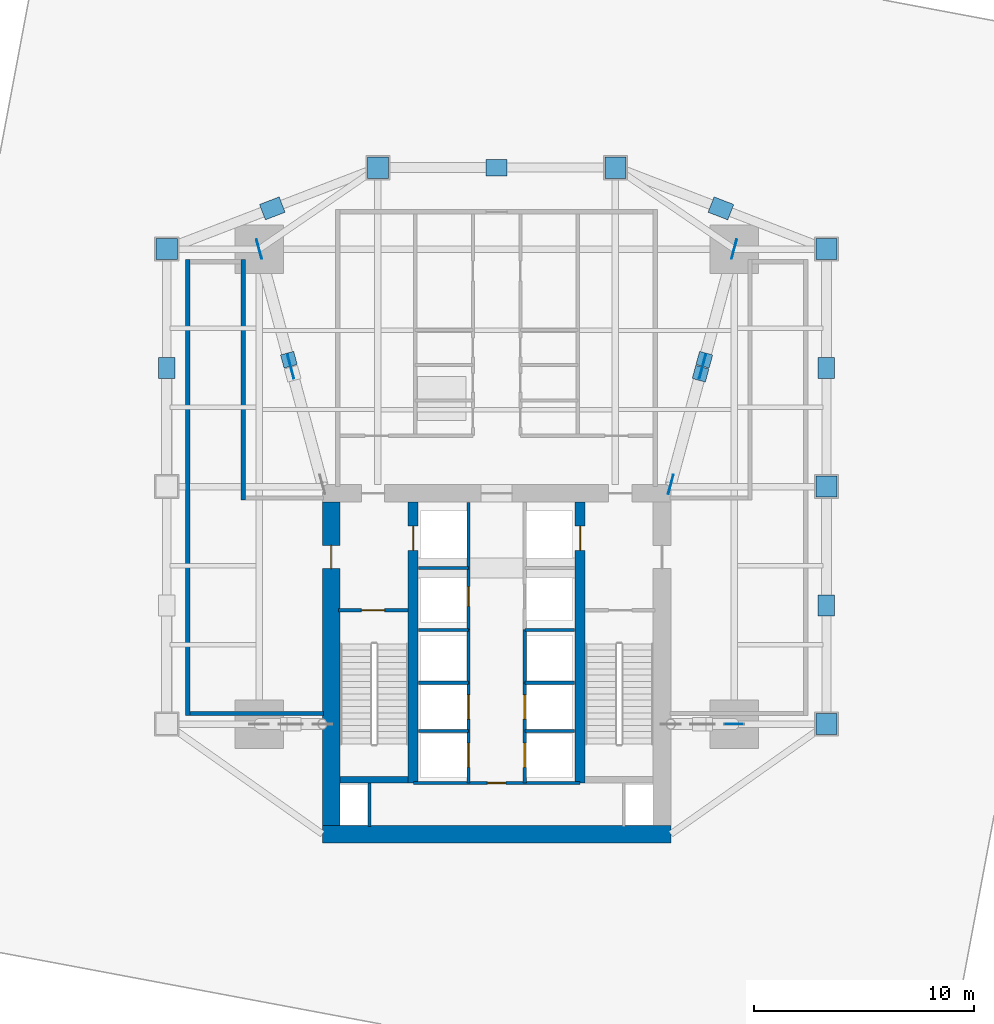
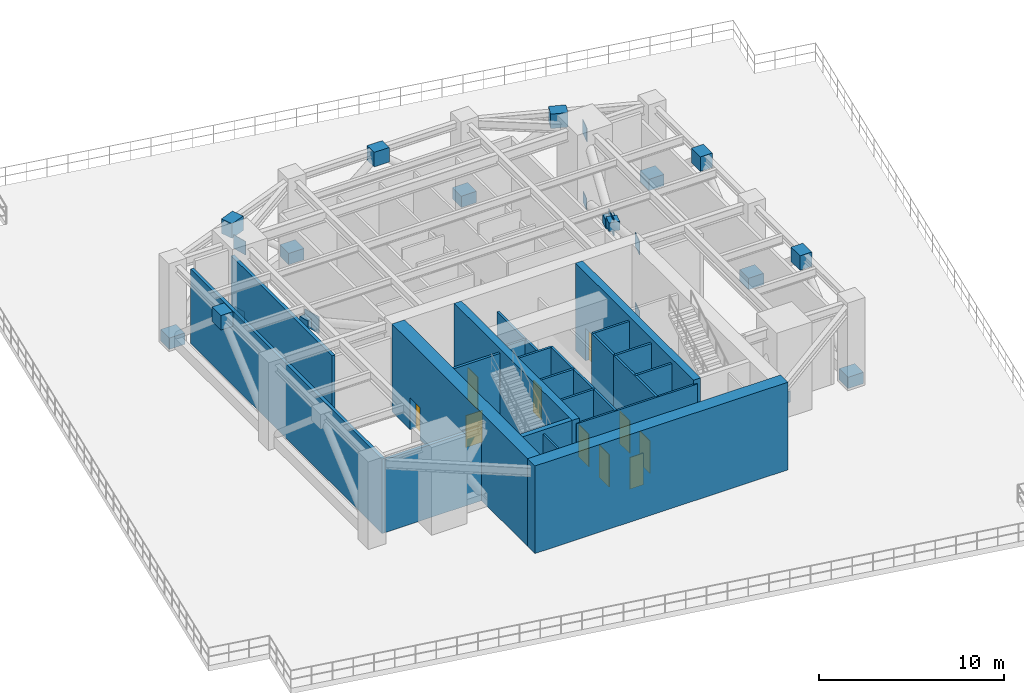
# One storey, part 4 of 10: 24 plates, 23 walls, 10 doors, 10 openings.
"""IFC4 building model written with IfcOpenShell, lengths in metres."""

from ifc_helpers import new_model, si_unit, direction, frame, frame_2d, origin, origin_2d, place, context, subcontext, project, spatial, rectangle, extrude, source, transform, mapped, material, layer, layer_set, type_object, type_shapes, element, fill, save


model = new_model("IFC4")

# Units and contexts
model_context = context("Model", 3, precision=1e-05, world=origin(), true_north=direction((0.0, 1.0)))
body_context = subcontext(model_context, "Body", "Model", "MODEL_VIEW")
ifc_project = project(units=[si_unit("LENGTHUNIT", "METRE"), si_unit("AREAUNIT", "SQUARE_METRE"), si_unit("VOLUMEUNIT", "CUBIC_METRE"), si_unit("PLANEANGLEUNIT", "RADIAN"), si_unit("MASSUNIT", "GRAM", prefix="KILO")], contexts=[model_context])

# Site, building, storey
site_placement = place(None, origin())
site = spatial("IfcSite", under=ifc_project, at=site_placement, CompositionType="ELEMENT")
building_placement = place(site_placement, origin())
building = spatial("IfcBuilding", under=site, at=building_placement, Name="Krantzveldt Concourse Tower", CompositionType="ELEMENT")
storey_placement = place(building_placement, frame((0.0, 0.0, 80.300048828125)))
storey = spatial("IfcBuildingStorey", under=building, at=storey_placement, Name="L19", CompositionType="ELEMENT", Elevation=80.300048828125)

# Plates
ifc_material_1 = material(Name="Steel S355J2", Category="steel")
ifc_layer_1 = layer(ifc_material_1, 0.0400390625, Name="Steel S355J2", Category="steel")
ifc_layer_set_1 = layer_set([ifc_layer_1], Name="Steel S355J2 (PL-GUSSET-40)")
plate_type_1 = type_object("IfcPlateType", Name="PL-GUSSET-40", PredefinedType="USERDEFINED", material=ifc_layer_set_1)
shared_shape_1 = source(origin(), body_context, "Body", "SweptSolid", [
    extrude(rectangle(XDim=0.89990234375, YDim=0.0400390625, at=origin_2d()), origin(), (0.0, 0.0, 1.0), 0.89990234375),
])
type_shapes(plate_type_1, [shared_shape_1])
for number, where, z_axis, x_axis, name in (
    (1, (25.199951171875, 37.5, 4.6201171875), (0.0, 0.0, 1.0), (-0.259914686406, 0.965631583882, 0.0), "OT-NW-L19-GP3"),
    (2, (43.919921875, 26.800048828125, 0.0), (0.0, 0.0, 1.0), (0.259914686406, 0.965631583882, 0.0), "OT-NE-L19-GP1"),
    (3, (43.919921875, 26.800048828125, 4.6201171875), (0.0, 0.0, 1.0), (0.259914686406, 0.965631583882, 0.0), "OT-NE-L19-GP2"),
    (4, (46.800048828125, 37.5, 4.6201171875), (0.0, 0.0, 1.0), (0.259914686406, 0.965631583882, 0.0), "OT-NE-L19-GP3"),
):
    element("IfcPlate", number, at=place(storey_placement, frame(where, z_axis=z_axis, x_axis=x_axis)), inside=storey, type_object=plate_type_1, Name=name, ObjectType="GUSSET PLATE", PredefinedType="USERDEFINED", context=body_context, shape_type="MappedRepresentation", body=[
        mapped(shared_shape_1, transform((0.0, 0.0, 0.0), x_axis=(1.0, 0.0, 0.0), y_axis=(0.0, 1.0, 0.0), z_axis=(0.0, 0.0, 1.0), scale=1.0)),
    ])
ifc_layer_2 = layer(ifc_material_1, 0.0400390625, Name="Steel S355J2", Category="steel")
ifc_layer_set_2 = layer_set([ifc_layer_2], Name="Steel S355J2 (PL-GUSSET-X40)")
plate_type_2 = type_object("IfcPlateType", Name="PL-GUSSET-X40", PredefinedType="USERDEFINED", material=ifc_layer_set_2)
shared_shape_2 = source(origin(), body_context, "Body", "SweptSolid", [
    extrude(rectangle(XDim=1.10009765625, YDim=0.0400390625, at=origin_2d()), origin(), (0.0, 0.0, 1.0), 1.10009765625),
])
type_shapes(plate_type_2, [shared_shape_2])
for number, where, z_axis, x_axis, name in (
    (5, (26.639892578125, 32.14990234375, 2.2099609375), (0.0, 0.0, 1.0), (-0.259914686406, 0.965631583882, 0.0), "L19 Outrigger X-Brace Crossing Node Plate OT-NW"),
    (6, (45.360107421875, 32.14990234375, 2.2099609375), (0.0, 0.0, 1.0), (0.259914686406, 0.965631583882, 0.0), "L19 Outrigger X-Brace Crossing Node Plate OT-NE"),
):
    element("IfcPlate", number, at=place(storey_placement, frame(where, z_axis=z_axis, x_axis=x_axis)), inside=storey, type_object=plate_type_2, Name=name, ObjectType="GUSSET PLATE", PredefinedType="USERDEFINED", context=body_context, shape_type="MappedRepresentation", body=[
        mapped(shared_shape_2, transform((0.0, 0.0, 0.0), x_axis=(1.0, 0.0, 0.0), y_axis=(0.0, 1.0, 0.0), z_axis=(0.0, 0.0, 1.0), scale=1.0)),
    ])
ifc_layer_3 = layer(ifc_material_1, 0.034912109375, Name="Steel S355J2", Category="steel")
ifc_layer_set_3 = layer_set([ifc_layer_3], Name="Steel S355J2 (PL-ENDCAP-35)")
plate_type_3 = type_object("IfcPlateType", Name="PL-ENDCAP-35", PredefinedType="SHEET", material=ifc_layer_set_3)
shared_shape_3 = source(origin(), body_context, "Body", "SweptSolid", [
    extrude(rectangle(XDim=0.6201171875, YDim=0.6201171875, at=origin_2d()), origin(), (0.0, 0.0, 1.0), 0.580078125),
])
for number, where, z_axis, x_axis, name in (
    (7, (26.55419921875, 32.46875, 2.332275390625), (0.0, 0.0, 1.0), (-0.259914686406, 0.965631583882, 0.0), "OT-NW-L19-ECB"),
    (8, (45.274169921875, 31.831298828125, 2.607421875), (0.0, 0.0, 1.0), (0.259914686406, 0.965631583882, 0.0), "OT-NE-L19-ECA"),
    (9, (45.44580078125, 32.46875, 2.332275390625), (0.0, 0.0, 1.0), (0.259914686406, 0.965631583882, 0.0), "OT-NE-L19-ECB"),
):
    element("IfcPlate", number, at=place(storey_placement, frame(where, z_axis=z_axis, x_axis=x_axis)), inside=storey, type_object=plate_type_3, Name=name, PredefinedType="SHEET", context=body_context, shape_type="MappedRepresentation", body=[
        mapped(shared_shape_3, transform((0.0, 0.0, 0.0), x_axis=(1.0, 0.0, 0.0), y_axis=(0.0, 1.0, 0.0), z_axis=(0.0, 0.0, 1.0), scale=1.0)),
    ])
shared_shape_4 = source(origin(), body_context, "Body", "SweptSolid", [
    extrude(rectangle(XDim=0.75, YDim=0.034912109375, at=origin_2d()), origin(), (0.0, 0.0, 1.0), 0.75),
])
type_shapes(plate_type_3, [shared_shape_3, shared_shape_4])
for number, where, z_axis, x_axis, name in (
    (10, (46.800048828125, 15.89990234375, 0.074951171875), (0.0, 0.0, 1.0), (1.0, 0.0, 0.0), "OT-SE-L19-EC"),
    (11, (25.199951171875, 37.5, 0.074951171875), (0.0, 0.0, 1.0), (-0.259914686406, 0.965631583882, 0.0), "OT-NW-L19-EC"),
    (12, (46.800048828125, 37.5, 0.074951171875), (0.0, 0.0, 1.0), (0.259914686406, 0.965631583882, 0.0), "OT-NE-L19-EC"),
):
    element("IfcPlate", number, at=place(storey_placement, frame(where, z_axis=z_axis, x_axis=x_axis)), inside=storey, type_object=plate_type_3, Name=name, PredefinedType="SHEET", context=body_context, shape_type="MappedRepresentation", body=[
        mapped(shared_shape_4, transform((0.0, 0.0, 0.0), x_axis=(1.0, 0.0, 0.0), y_axis=(0.0, 1.0, 0.0), z_axis=(0.0, 0.0, 1.0), scale=1.0)),
    ])
ifc_layer_4 = layer(ifc_material_1, 0.0419921875, Name="Steel S355J2", Category="steel")
ifc_layer_set_4 = layer_set([ifc_layer_4], Name="Steel S355J2 (PL-GUSSET-EXT40)")
plate_type_4 = type_object("IfcPlateType", Name="PL-GUSSET-EXT40", PredefinedType="USERDEFINED", material=ifc_layer_set_4)
shared_shape_5 = source(origin(), body_context, "Body", "SweptSolid", [
    extrude(rectangle(XDim=0.9599609375, YDim=0.9599609375, at=origin_2d()), origin(), (0.0, 0.0, 1.0), 0.75),
])
for number, where, z_axis, x_axis, name in (
    (13, (21.0, 37.5, 0.074951171875), (0.0, 0.0, 1.0), (1.0, 0.0, 0.0), "BT-L19-GPB-03"),
    (14, (30.60009765625, 41.199951171875, 0.074951171875), (0.0, 0.0, 1.0), (1.0, 0.0, 0.0), "BT-L19-GPB-04"),
    (15, (41.39990234375, 41.199951171875, 0.074951171875), (0.0, 0.0, 1.0), (1.0, 0.0, 0.0), "BT-L19-GPB-05"),
    (16, (51.0, 37.5, 0.074951171875), (0.0, 0.0, 1.0), (1.0, 0.0, 0.0), "BT-L19-GPB-06"),
    (17, (51.0, 26.699951171875, 0.074951171875), (0.0, 0.0, 1.0), (1.0, 0.0, 0.0), "BT-L19-GPB-07"),
    (18, (51.0, 15.89990234375, 0.074951171875), (0.0, 0.0, 1.0), (1.0, 0.0, 0.0), "BT-L19-GPB-08"),
):
    element("IfcPlate", number, at=place(storey_placement, frame(where, z_axis=z_axis, x_axis=x_axis)), inside=storey, type_object=plate_type_4, Name=name, ObjectType="GUSSET PLATE", PredefinedType="USERDEFINED", context=body_context, shape_type="MappedRepresentation", body=[
        mapped(shared_shape_5, transform((0.0, 0.0, 0.0), x_axis=(1.0, 0.0, 0.0), y_axis=(0.0, 1.0, 0.0), z_axis=(0.0, 0.0, 1.0), scale=1.0)),
    ])
shared_shape_6 = source(origin(), body_context, "Body", "SweptSolid", [
    extrude(rectangle(XDim=0.9599609375, YDim=0.75, at=origin_2d()), origin(), (0.0, 0.0, 1.0), 0.9599609375),
])
type_shapes(plate_type_4, [shared_shape_5, shared_shape_6])
for number, where, z_axis, x_axis, name in (
    (19, (21.0, 32.10009765625, 4.590087890625), (0.0, 0.0, 1.0), (0.0, 1.0, 0.0), "BT-L19-GP-02"),
    (20, (25.800048828125, 39.35009765625, 4.590087890625), (0.0, 0.0, 1.0), (0.933097971633, 0.359622267573, 0.0), "BT-L19-GP-03"),
    (21, (36.0, 41.199951171875, 4.590087890625), (0.0, 0.0, 1.0), (1.0, 0.0, 0.0), "BT-L19-GP-04"),
    (22, (46.199951171875, 39.35009765625, 4.590087890625), (0.0, 0.0, 1.0), (-0.933097971633, 0.359622267573, 0.0), "BT-L19-GP-05"),
    (23, (51.0, 32.10009765625, 4.590087890625), (0.0, 0.0, 1.0), (0.0, 1.0, 0.0), "BT-L19-GP-06"),
    (24, (51.0, 21.300048828125, 4.590087890625), (0.0, 0.0, 1.0), (0.0, 1.0, 0.0), "BT-L19-GP-07"),
):
    element("IfcPlate", number, at=place(storey_placement, frame(where, z_axis=z_axis, x_axis=x_axis)), inside=storey, type_object=plate_type_4, Name=name, ObjectType="GUSSET PLATE", PredefinedType="USERDEFINED", context=body_context, shape_type="MappedRepresentation", body=[
        mapped(shared_shape_6, transform((0.0, 0.0, 0.0), x_axis=(1.0, 0.0, 0.0), y_axis=(0.0, 1.0, 0.0), z_axis=(0.0, 0.0, 1.0), scale=1.0)),
    ])

# Walls
ifc_material_2 = material(Name="Concrete C40/50", Category="concrete")
ifc_layer_5 = layer(ifc_material_2, 0.199951171875, Name="Concrete C40/50", Category="concrete")
ifc_layer_set_5 = layer_set([ifc_layer_5], Name="Concrete C40/50 (WL-EXT-POD200)")
wall_type_1 = type_object("IfcWallType", Name="WL-EXT-POD200", PredefinedType="SOLIDWALL", material=ifc_layer_set_5)
wall_1_placement = place(storey_placement, frame((22.050048828125, 16.3798828125, 0.0), z_axis=(0.0, 0.0, 1.0), x_axis=(1.0, 0.0, 0.0)))
element("IfcWall", 25, at=wall_1_placement, inside=storey, type_object=wall_type_1, Name="WP-L19-RWS", PredefinedType="SOLIDWALL", context=body_context, shape_type="SweptSolid", body=[
    extrude(rectangle(XDim=6.070068359375, YDim=0.199951171875, at=frame_2d((3.03515625, 0.0))), origin(), (0.0, 0.0, 1.0), 4.820068359375),
])
wall_2_placement = place(storey_placement, frame((21.949951171875, 16.280029296875, 0.0), z_axis=(0.0, 0.0, 1.0), x_axis=(0.0, 1.0, 0.0)))
element("IfcWall", 26, at=wall_2_placement, inside=storey, type_object=wall_type_1, Name="WP-L19-RWW", PredefinedType="SOLIDWALL", context=body_context, shape_type="SweptSolid", body=[
    extrude(rectangle(XDim=20.739990234375, YDim=0.199951171875, at=frame_2d((10.3701171875, 0.0))), origin(), (0.0, 0.0, 1.0), 4.929931640625),
])
wall_3_placement = place(storey_placement, frame((24.47998046875, 26.080078125, 0.0), z_axis=(0.0, 0.0, 1.0), x_axis=(0.0, 1.0, 0.0)))
element("IfcWall", 27, at=wall_3_placement, inside=storey, type_object=wall_type_1, Name="WP-L19-RWNE", PredefinedType="SOLIDWALL", context=body_context, shape_type="SweptSolid", body=[
    extrude(rectangle(XDim=10.93994140625, YDim=0.199951171875, at=frame_2d((5.469970703125, 0.0))), origin(), (0.0, 0.0, 1.0), 4.929931640625),
])

# Wall, opening, door
ifc_material_3 = material(Name="Fire-rated gypsum plasterboard on steel stud", Category="steel")
ifc_layer_6 = layer(ifc_material_3, 0.1201171875, Name="Fire-rated gypsum plasterboard on steel stud", Category="steel")
ifc_layer_set_6 = layer_set([ifc_layer_6], Name="Fire-rated gypsum plasterboard on steel stud (WL-PART-120)")
wall_type_2 = type_object("IfcWallType", Name="WL-PART-120", PredefinedType="PARTITIONING", material=ifc_layer_set_6)
wall_4_placement = place(storey_placement, frame((32.2099609375, 13.219970703125, 0.0), z_axis=(0.0, 0.0, 1.0), x_axis=(1.0, 0.0, 0.0)))
wall_4 = element("IfcWall", 28, at=wall_4_placement, inside=storey, type_object=wall_type_2, Name="WP-L19-CS2H", PredefinedType="PARTITIONING", context=body_context, shape_type="SweptSolid", body=[
    extrude(rectangle(XDim=7.580078125, YDim=0.1201171875, at=frame_2d((3.7900390625, 0.0))), origin(), (0.0, 0.0, 1.0), 5.52001953125),
])
opening_1_placement = place(wall_4_placement, frame((3.364990234375, 0.0, 0.0)))
opening_1 = element("IfcOpeningElement", 29, at=opening_1_placement, cuts=wall_4, Name="Opening D-IN085", PredefinedType="OPENING", context=body_context, shape_type="SweptSolid", body=[
    extrude(rectangle(XDim=0.85009765625, YDim=2.10009765625, at=frame_2d((0.425048828125, 1.050048828125))), frame((0.0, 0.070068359375, 0.0), z_axis=(0.0, -1.0, 0.0), x_axis=(1.0, 0.0, 0.0)), (0.0, 0.0, 1.0), 0.14013671875),
])
ifc_material_4 = material(Name="Hardwood timber", Category="wood")
door_type_1 = type_object("IfcDoorType", Name="DR-INT-850", OperationType="SINGLE_SWING_LEFT", PredefinedType="DOOR", material=ifc_material_4)
door_1_placement = place(opening_1_placement, origin())
door_1 = element("IfcDoor", 30, at=door_1_placement, inside=storey, type_object=door_type_1, Name="DR-L19-CSC1", OperationType="SINGLE_SWING_RIGHT", OverallHeight=2.10009765625, OverallWidth=0.85009765625, PredefinedType="DOOR", context=body_context, shape_type="SweptSolid", body=[
    extrude(rectangle(XDim=0.85009765625, YDim=2.10009765625, at=frame_2d((0.425048828125, 1.050048828125))), frame((0.0, 0.02490234375, 0.0), z_axis=(0.0, -1.0, 0.0), x_axis=(1.0, 0.0, 0.0)), (0.0, 0.0, 1.0), 0.050048828125),
])
fill(opening_1, door_1)

ifc_layer_7 = layer(ifc_material_3, 0.139892578125, Name="Fire-rated gypsum plasterboard on steel stud", Category="steel")
ifc_layer_set_7 = layer_set([ifc_layer_7], Name="Fire-rated gypsum plasterboard on steel stud (WL-PART-FR140)")
wall_type_3 = type_object("IfcWallType", Name="WL-PART-FR140", PredefinedType="PARTITIONING", material=ifc_layer_set_7)
wall_5_placement = place(storey_placement, frame((34.719970703125, 20.199951171875, 0.0), z_axis=(0.0, 0.0, 1.0), x_axis=(0.0, 1.0, 0.0)))
wall_5 = element("IfcWall", 31, at=wall_5_placement, inside=storey, type_object=wall_type_3, Name="WP-L19-SHNW", PredefinedType="PARTITIONING", context=body_context, shape_type="SweptSolid", body=[
    extrude(rectangle(XDim=5.780029296875, YDim=0.139892578125, at=frame_2d((2.89013671875, 0.0))), origin(), (0.0, 0.0, 1.0), 4.320068359375),
])
opening_2_placement = place(wall_5_placement, frame((1.050048828125, 0.0, 0.0)))
opening_2 = element("IfcOpeningElement", 32, at=opening_2_placement, cuts=wall_5, Name="Opening D-FD090", PredefinedType="OPENING", context=body_context, shape_type="SweptSolid", body=[
    extrude(rectangle(XDim=0.89990234375, YDim=2.10009765625, at=frame_2d((0.449951171875, 1.050048828125))), frame((0.0, 0.080078125, 0.0), z_axis=(0.0, -1.0, 0.0), x_axis=(1.0, 0.0, 0.0)), (0.0, 0.0, 1.0), 0.159912109375),
])
door_type_2 = type_object("IfcDoorType", Name="DR-FD60-900", OperationType="SINGLE_SWING_LEFT", PredefinedType="DOOR", material=ifc_material_4)
door_2_placement = place(opening_2_placement, origin())
door_2 = element("IfcDoor", 33, at=door_2_placement, inside=storey, type_object=door_type_2, Name="Electrical Riser Access Door L19", OperationType="SINGLE_SWING_LEFT", OverallHeight=2.10009765625, OverallWidth=0.89990234375, PredefinedType="DOOR", context=body_context, shape_type="SweptSolid", body=[
    extrude(rectangle(XDim=0.89990234375, YDim=2.10009765625, at=frame_2d((0.449951171875, 1.050048828125))), frame((0.0, 0.02490234375, 0.0), z_axis=(0.0, -1.0, 0.0), x_axis=(1.0, 0.0, 0.0)), (0.0, 0.0, 1.0), 0.050048828125),
])
fill(opening_2, door_2)

# Walls
wall_6_placement = place(storey_placement, frame((32.449951171875, 23.0, 0.0), z_axis=(0.0, 0.0, 1.0), x_axis=(1.0, 0.0, 0.0)))
element("IfcWall", 34, at=wall_6_placement, inside=storey, type_object=wall_type_3, Name="WP-L19-RISH", PredefinedType="PARTITIONING", context=body_context, shape_type="SweptSolid", body=[
    extrude(rectangle(XDim=2.27001953125, YDim=0.139892578125, at=frame_2d((1.135009765625, 0.0))), origin(), (0.0, 0.0, 1.0), 4.320068359375),
])
for number, where, z_axis, x_axis, name in (
    (35, (34.719970703125, 17.780029296875, 0.0), (0.0, 0.0, 1.0), (0.0, 1.0, 0.0), "WP-L19-SHNW2"),
    (36, (37.280029296875, 17.780029296875, 0.0), (0.0, 0.0, 1.0), (0.0, 1.0, 0.0), "WP-L19-SHNE2"),
):
    element("IfcWall", number, at=place(storey_placement, frame(where, z_axis=z_axis, x_axis=x_axis)), inside=storey, type_object=wall_type_3, Name=name, PredefinedType="PARTITIONING", context=body_context, shape_type="SweptSolid", body=[
        extrude(rectangle(XDim=2.419921875, YDim=0.139892578125, at=frame_2d((1.2099609375, 0.0))), origin(), (0.0, 0.0, 1.0), 5.52001953125),
    ])
for number, where, z_axis, x_axis, name in (
    (37, (32.449951171875, 17.780029296875, 0.0), (0.0, 0.0, 1.0), (1.0, 0.0, 0.0), "WP-L19-DIVW2"),
    (38, (32.449951171875, 20.179931640625, 0.0), (0.0, 0.0, 1.0), (1.0, 0.0, 0.0), "WP-L19-DIVW3"),
    (39, (37.280029296875, 17.780029296875, 0.0), (0.0, 0.0, 1.0), (1.0, 0.0, 0.0), "WP-L19-DIVE2"),
    (40, (37.280029296875, 20.179931640625, 0.0), (0.0, 0.0, 1.0), (1.0, 0.0, 0.0), "WP-L19-DIVE3"),
):
    element("IfcWall", number, at=place(storey_placement, frame(where, z_axis=z_axis, x_axis=x_axis)), inside=storey, type_object=wall_type_3, Name=name, PredefinedType="PARTITIONING", context=body_context, shape_type="SweptSolid", body=[
        extrude(rectangle(XDim=2.27001953125, YDim=0.139892578125, at=frame_2d((1.135009765625, 0.0))), origin(), (0.0, 0.0, 1.0), 5.52001953125),
    ])

# Wall, openings, doors
wall_7_placement = place(storey_placement, frame((34.719970703125, 13.219970703125, 0.0), z_axis=(0.0, 0.0, 1.0), x_axis=(0.0, 1.0, 0.0)))
wall_7 = element("IfcWall", 41, at=wall_7_placement, inside=storey, type_object=wall_type_3, Name="WP-L19-SHSW", PredefinedType="PARTITIONING", context=body_context, shape_type="SweptSolid", body=[
    extrude(rectangle(XDim=4.56005859375, YDim=0.139892578125, at=frame_2d((2.280029296875, 0.0))), origin(), (0.0, 0.0, 1.0), 5.52001953125),
])
opening_3_placement = place(wall_7_placement, frame((0.7099609375, 0.0, 0.0)))
opening_3 = element("IfcOpeningElement", 42, at=opening_3_placement, cuts=wall_7, Name="Opening LD", PredefinedType="OPENING", context=body_context, shape_type="SweptSolid", body=[
    extrude(rectangle(XDim=1.10009765625, YDim=2.14990234375, at=frame_2d((0.550048828125, 1.074951171875))), frame((0.0, 0.080078125, 0.0), z_axis=(0.0, -1.0, 0.0), x_axis=(1.0, 0.0, 0.0)), (0.0, 0.0, 1.0), 0.159912109375),
])
opening_4_placement = place(wall_7_placement, frame((2.909912109375, 0.0, 0.0)))
opening_4 = element("IfcOpeningElement", 43, at=opening_4_placement, cuts=wall_7, Name="Opening LD", PredefinedType="OPENING", context=body_context, shape_type="SweptSolid", body=[
    extrude(rectangle(XDim=1.10009765625, YDim=2.14990234375, at=frame_2d((0.550048828125, 1.074951171875))), frame((0.0, 0.080078125, 0.0), z_axis=(0.0, -1.0, 0.0), x_axis=(1.0, 0.0, 0.0)), (0.0, 0.0, 1.0), 0.159912109375),
])
ifc_material_5 = material(Name="Stainless steel 316L", Category="steel")
door_type_3 = type_object("IfcDoorType", Name="DR-SLIDE-LD1100", OperationType="DOUBLE_DOOR_SLIDING", PredefinedType="DOOR", material=ifc_material_5)
door_3_placement = place(opening_3_placement, origin())
door_3 = element("IfcDoor", 44, at=door_3_placement, inside=storey, type_object=door_type_3, Name="LD-L19-PL1", OperationType="DOUBLE_DOOR_SLIDING", OverallHeight=2.14990234375, OverallWidth=1.10009765625, PredefinedType="DOOR", context=body_context, shape_type="SweptSolid", body=[
    extrude(rectangle(XDim=1.10009765625, YDim=2.14990234375, at=frame_2d((0.550048828125, 1.074951171875))), frame((0.0, 0.02490234375, 0.0), z_axis=(0.0, -1.0, 0.0), x_axis=(1.0, 0.0, 0.0)), (0.0, 0.0, 1.0), 0.050048828125),
])
fill(opening_3, door_3)
door_4_placement = place(opening_4_placement, origin())
door_4 = element("IfcDoor", 45, at=door_4_placement, inside=storey, type_object=door_type_3, Name="LD-L19-PL2", OperationType="DOUBLE_DOOR_SLIDING", OverallHeight=2.14990234375, OverallWidth=1.10009765625, PredefinedType="DOOR", context=body_context, shape_type="SweptSolid", body=[
    extrude(rectangle(XDim=1.10009765625, YDim=2.14990234375, at=frame_2d((0.550048828125, 1.074951171875))), frame((0.0, 0.02490234375, 0.0), z_axis=(0.0, -1.0, 0.0), x_axis=(1.0, 0.0, 0.0)), (0.0, 0.0, 1.0), 0.050048828125),
])
fill(opening_4, door_4)

# Wall
wall_8_placement = place(storey_placement, frame((32.449951171875, 15.580078125, 0.0), z_axis=(0.0, 0.0, 1.0), x_axis=(1.0, 0.0, 0.0)))
element("IfcWall", 46, at=wall_8_placement, inside=storey, type_object=wall_type_3, Name="WP-L19-DIVW1", PredefinedType="PARTITIONING", context=body_context, shape_type="SweptSolid", body=[
    extrude(rectangle(XDim=2.27001953125, YDim=0.139892578125, at=frame_2d((1.135009765625, 0.0))), origin(), (0.0, 0.0, 1.0), 5.52001953125),
])

# Wall, openings, doors
wall_9_placement = place(storey_placement, frame((37.280029296875, 13.219970703125, 0.0), z_axis=(0.0, 0.0, 1.0), x_axis=(0.0, 1.0, 0.0)))
wall_9 = element("IfcWall", 47, at=wall_9_placement, inside=storey, type_object=wall_type_3, Name="WP-L19-SHSE", PredefinedType="PARTITIONING", context=body_context, shape_type="SweptSolid", body=[
    extrude(rectangle(XDim=4.56005859375, YDim=0.139892578125, at=frame_2d((2.280029296875, 0.0))), origin(), (0.0, 0.0, 1.0), 5.52001953125),
])
opening_5_placement = place(wall_9_placement, frame((0.7099609375, 0.0, 0.0)))
opening_5 = element("IfcOpeningElement", 48, at=opening_5_placement, cuts=wall_9, Name="Opening LD", PredefinedType="OPENING", context=body_context, shape_type="SweptSolid", body=[
    extrude(rectangle(XDim=1.10009765625, YDim=2.14990234375, at=frame_2d((0.550048828125, 1.074951171875))), frame((0.0, 0.080078125, 0.0), z_axis=(0.0, -1.0, 0.0), x_axis=(1.0, 0.0, 0.0)), (0.0, 0.0, 1.0), 0.159912109375),
])
opening_6_placement = place(wall_9_placement, frame((2.909912109375, 0.0, 0.0)))
opening_6 = element("IfcOpeningElement", 49, at=opening_6_placement, cuts=wall_9, Name="Opening LD", PredefinedType="OPENING", context=body_context, shape_type="SweptSolid", body=[
    extrude(rectangle(XDim=1.10009765625, YDim=2.14990234375, at=frame_2d((0.550048828125, 1.074951171875))), frame((0.0, 0.080078125, 0.0), z_axis=(0.0, -1.0, 0.0), x_axis=(1.0, 0.0, 0.0)), (0.0, 0.0, 1.0), 0.159912109375),
])
door_5_placement = place(opening_5_placement, origin())
door_5 = element("IfcDoor", 50, at=door_5_placement, inside=storey, type_object=door_type_3, Name="LD-L19-PM1", OperationType="DOUBLE_DOOR_SLIDING", OverallHeight=2.14990234375, OverallWidth=1.10009765625, PredefinedType="DOOR", context=body_context, shape_type="SweptSolid", body=[
    extrude(rectangle(XDim=1.10009765625, YDim=2.14990234375, at=frame_2d((0.550048828125, 1.074951171875))), frame((0.0, 0.02490234375, 0.0), z_axis=(0.0, -1.0, 0.0), x_axis=(1.0, 0.0, 0.0)), (0.0, 0.0, 1.0), 0.050048828125),
])
fill(opening_5, door_5)
door_6_placement = place(opening_6_placement, origin())
door_6 = element("IfcDoor", 51, at=door_6_placement, inside=storey, type_object=door_type_3, Name="LD-L19-PM2", OperationType="DOUBLE_DOOR_SLIDING", OverallHeight=2.14990234375, OverallWidth=1.10009765625, PredefinedType="DOOR", context=body_context, shape_type="SweptSolid", body=[
    extrude(rectangle(XDim=1.10009765625, YDim=2.14990234375, at=frame_2d((0.550048828125, 1.074951171875))), frame((0.0, 0.02490234375, 0.0), z_axis=(0.0, -1.0, 0.0), x_axis=(1.0, 0.0, 0.0)), (0.0, 0.0, 1.0), 0.050048828125),
])
fill(opening_6, door_6)

# Walls
wall_10_placement = place(storey_placement, frame((37.280029296875, 15.580078125, 0.0), z_axis=(0.0, 0.0, 1.0), x_axis=(1.0, 0.0, 0.0)))
element("IfcWall", 52, at=wall_10_placement, inside=storey, type_object=wall_type_3, Name="WP-L19-DIVE1", PredefinedType="PARTITIONING", context=body_context, shape_type="SweptSolid", body=[
    extrude(rectangle(XDim=2.27001953125, YDim=0.139892578125, at=frame_2d((1.135009765625, 0.0))), origin(), (0.0, 0.0, 1.0), 5.52001953125),
])
wall_11_placement = place(storey_placement, frame((30.219970703125, 11.25, 0.0), z_axis=(0.0, 0.0, 1.0), x_axis=(0.0, 1.0, 0.0)))
element("IfcWall", 53, at=wall_11_placement, inside=storey, type_object=wall_type_3, Name="WP-L19-RSW", PredefinedType="PARTITIONING", context=body_context, shape_type="SweptSolid", body=[
    extrude(rectangle(XDim=1.969970703125, YDim=0.1201171875, at=frame_2d((0.98486328125, 0.0))), origin(), (0.0, 0.0, 1.0), 5.52001953125),
])

# Wall, opening, door
ifc_layer_8 = layer(ifc_material_3, 0.159912109375, Name="Fire-rated gypsum plasterboard on steel stud", Category="steel")
ifc_layer_set_8 = layer_set([ifc_layer_8], Name="Fire-rated gypsum plasterboard on steel stud (WL-PART-FR160)")
wall_type_4 = type_object("IfcWallType", Name="WL-PART-FR160", PredefinedType="PARTITIONING", material=ifc_layer_set_8)
wall_12_placement = place(storey_placement, frame((28.800048828125, 21.080078125, 0.0), z_axis=(0.0, 0.0, 1.0), x_axis=(1.0, 0.0, 0.0)))
wall_12 = element("IfcWall", 54, at=wall_12_placement, inside=storey, type_object=wall_type_4, Name="WP-L19-ST1", PredefinedType="PARTITIONING", context=body_context, shape_type="SweptSolid", body=[
    extrude(rectangle(XDim=3.159912109375, YDim=0.159912109375, at=frame_2d((1.580078125, 0.0))), origin(), (0.0, 0.0, 1.0), 5.52001953125),
])
opening_7_placement = place(wall_12_placement, frame((1.054931640625, 0.0, 0.0)))
opening_7 = element("IfcOpeningElement", 55, at=opening_7_placement, cuts=wall_12, Name="Opening D-FD105", PredefinedType="OPENING", context=body_context, shape_type="SweptSolid", body=[
    extrude(rectangle(XDim=1.050048828125, YDim=2.10009765625, at=frame_2d((0.52490234375, 1.050048828125))), frame((0.0, 0.08984375, 0.0), z_axis=(0.0, -1.0, 0.0), x_axis=(1.0, 0.0, 0.0)), (0.0, 0.0, 1.0), 0.179931640625),
])
ifc_material_6 = material(Name="Galvanised steel", Category="steel")
door_type_4 = type_object("IfcDoorType", Name="DR-FD120-1050", OperationType="SINGLE_SWING_LEFT", PredefinedType="DOOR", material=ifc_material_6)
door_7_placement = place(opening_7_placement, origin())
door_7 = element("IfcDoor", 56, at=door_7_placement, inside=storey, type_object=door_type_4, Name="DR-L19-ST1", OperationType="SINGLE_SWING_RIGHT", OverallHeight=2.10009765625, OverallWidth=1.050048828125, PredefinedType="DOOR", context=body_context, shape_type="SweptSolid", body=[
    extrude(rectangle(XDim=1.050048828125, YDim=2.10009765625, at=frame_2d((0.52490234375, 1.050048828125))), frame((0.0, 0.02490234375, 0.0), z_axis=(0.0, -1.0, 0.0), x_axis=(1.0, 0.0, 0.0)), (0.0, 0.0, 1.0), 0.050048828125),
])
fill(opening_7, door_7)

# Wall
ifc_material_7 = material(Name="Concrete C50/60", Category="concrete")
ifc_layer_9 = layer(ifc_material_7, 0.300048828125, Name="Concrete C50/60", Category="concrete")
ifc_layer_set_9 = layer_set([ifc_layer_9], Name="Concrete C50/60 (WL-SHEAR-300)")
wall_type_5 = type_object("IfcWallType", Name="WL-SHEAR-300", PredefinedType="SHEAR", material=ifc_layer_set_9)
wall_13_placement = place(storey_placement, frame((28.8798828125, 13.3701171875, 0.0), z_axis=(0.0, 0.0, 1.0), x_axis=(1.0, 0.0, 0.0)))
element("IfcWall", 57, at=wall_13_placement, inside=storey, type_object=wall_type_5, Name="CW-L19-ST1S", PredefinedType="SHEAR", context=body_context, shape_type="SweptSolid", body=[
    extrude(rectangle(XDim=3.10009765625, YDim=0.300048828125, at=frame_2d((1.550048828125, 0.0))), origin(), (0.0, 0.0, 1.0), 5.800048828125),
])

# Wall, opening, door
ifc_layer_10 = layer(ifc_material_7, 0.449951171875, Name="Concrete C50/60", Category="concrete")
ifc_layer_set_10 = layer_set([ifc_layer_10], Name="Concrete C50/60 (WL-SHEAR-450)")
wall_type_6 = type_object("IfcWallType", Name="WL-SHEAR-450", PredefinedType="SHEAR", material=ifc_layer_set_10)
wall_14_placement = place(storey_placement, frame((32.205078125, 13.219970703125, 0.0), z_axis=(0.0, 0.0, 1.0), x_axis=(0.0, 1.0, 0.0)))
wall_14 = element("IfcWall", 58, at=wall_14_placement, inside=storey, type_object=wall_type_6, Name="CW-L19-IW", PredefinedType="SHEAR", context=body_context, shape_type="SweptSolid", body=[
    extrude(rectangle(XDim=12.780029296875, YDim=0.449951171875, at=frame_2d((6.39013671875, 0.0))), origin(), (0.0, 0.0, 1.0), 5.800048828125),
])
opening_8_placement = place(wall_14_placement, frame((10.580078125, 0.0, 0.0)))
opening_8 = element("IfcOpeningElement", 59, at=opening_8_placement, cuts=wall_14, Name="Opening LD", PredefinedType="OPENING", context=body_context, shape_type="SweptSolid", body=[
    extrude(rectangle(XDim=1.10009765625, YDim=2.14990234375, at=frame_2d((0.550048828125, 1.074951171875))), frame((0.0, 0.23486328125, 0.0), z_axis=(0.0, -1.0, 0.0), x_axis=(1.0, 0.0, 0.0)), (0.0, 0.0, 1.0), 0.469970703125),
])
door_8_placement = place(opening_8_placement, origin())
door_8 = element("IfcDoor", 60, at=door_8_placement, inside=storey, type_object=door_type_3, Name="LD-L19-FL1", OperationType="DOUBLE_DOOR_SLIDING", OverallHeight=2.14990234375, OverallWidth=1.10009765625, PredefinedType="DOOR", context=body_context, shape_type="SweptSolid", body=[
    extrude(rectangle(XDim=1.10009765625, YDim=2.14990234375, at=frame_2d((0.550048828125, 1.074951171875))), frame((0.0, 0.02490234375, 0.0), z_axis=(0.0, -1.0, 0.0), x_axis=(1.0, 0.0, 0.0)), (0.0, 0.0, 1.0), 0.050048828125),
])
fill(opening_8, door_8)

wall_15_placement = place(storey_placement, frame((39.794921875, 13.219970703125, 0.0), z_axis=(0.0, 0.0, 1.0), x_axis=(0.0, 1.0, 0.0)))
wall_15 = element("IfcWall", 61, at=wall_15_placement, inside=storey, type_object=wall_type_6, Name="CW-L19-IE", PredefinedType="SHEAR", context=body_context, shape_type="SweptSolid", body=[
    extrude(rectangle(XDim=12.780029296875, YDim=0.449951171875, at=frame_2d((6.39013671875, 0.0))), origin(), (0.0, 0.0, 1.0), 5.800048828125),
])
opening_9_placement = place(wall_15_placement, frame((10.580078125, 0.0, 0.0)))
opening_9 = element("IfcOpeningElement", 62, at=opening_9_placement, cuts=wall_15, Name="Opening LD", PredefinedType="OPENING", context=body_context, shape_type="SweptSolid", body=[
    extrude(rectangle(XDim=1.10009765625, YDim=2.14990234375, at=frame_2d((0.550048828125, 1.074951171875))), frame((0.0, 0.23486328125, 0.0), z_axis=(0.0, -1.0, 0.0), x_axis=(1.0, 0.0, 0.0)), (0.0, 0.0, 1.0), 0.469970703125),
])
door_9_placement = place(opening_9_placement, origin())
door_9 = element("IfcDoor", 63, at=door_9_placement, inside=storey, type_object=door_type_3, Name="LD-L19-FL2", OperationType="DOUBLE_DOOR_SLIDING", OverallHeight=2.14990234375, OverallWidth=1.10009765625, PredefinedType="DOOR", context=body_context, shape_type="SweptSolid", body=[
    extrude(rectangle(XDim=1.10009765625, YDim=2.14990234375, at=frame_2d((0.550048828125, 1.074951171875))), frame((0.0, 0.02490234375, 0.0), z_axis=(0.0, -1.0, 0.0), x_axis=(1.0, 0.0, 0.0)), (0.0, 0.0, 1.0), 0.050048828125),
])
fill(opening_9, door_9)

# Wall
ifc_material_8 = material(Name="Concrete C60/75", Category="concrete")
ifc_layer_11 = layer(ifc_material_8, 0.800048828125, Name="Concrete C60/75", Category="concrete")
ifc_layer_set_11 = layer_set([ifc_layer_11], Name="Concrete C60/75 (WL-SHEAR-800)")
wall_type_7 = type_object("IfcWallType", Name="WL-SHEAR-800", PredefinedType="SHEAR", material=ifc_layer_set_11)
wall_16_placement = place(storey_placement, frame((28.080078125, 10.89990234375, 0.0), z_axis=(0.0, 0.0, 1.0), x_axis=(1.0, 0.0, 0.0)))
element("IfcWall", 64, at=wall_16_placement, inside=storey, type_object=wall_type_7, Name="CW-L19-S", PredefinedType="SHEAR", context=body_context, shape_type="SweptSolid", body=[
    extrude(rectangle(XDim=15.83984375, YDim=0.800048828125, at=frame_2d((7.919921875, 0.0))), origin(), (0.0, 0.0, 1.0), 5.800048828125),
])

# Wall, opening, door
wall_17_placement = place(storey_placement, frame((28.47998046875, 11.300048828125, 0.0), z_axis=(0.0, 0.0, 1.0), x_axis=(0.0, 1.0, 0.0)))
wall_17 = element("IfcWall", 65, at=wall_17_placement, inside=storey, type_object=wall_type_7, Name="CW-L19-W", PredefinedType="SHEAR", context=body_context, shape_type="SweptSolid", body=[
    extrude(rectangle(XDim=14.699951171875, YDim=0.800048828125, at=frame_2d((7.35009765625, 0.0))), origin(), (0.0, 0.0, 1.0), 5.800048828125),
])
opening_10_placement = place(wall_17_placement, frame((11.675048828125, 0.0, 0.0)))
opening_10 = element("IfcOpeningElement", 66, at=opening_10_placement, cuts=wall_17, Name="Opening D-FD105", PredefinedType="OPENING", context=body_context, shape_type="SweptSolid", body=[
    extrude(rectangle(XDim=1.050048828125, YDim=2.10009765625, at=frame_2d((0.52490234375, 1.050048828125))), frame((0.0, 0.41015625, 0.0), z_axis=(0.0, -1.0, 0.0), x_axis=(1.0, 0.0, 0.0)), (0.0, 0.0, 1.0), 0.820068359375),
])
door_10_placement = place(opening_10_placement, origin())
door_10 = element("IfcDoor", 67, at=door_10_placement, inside=storey, type_object=door_type_4, Name="DR-L19-ST1RW", OperationType="SINGLE_SWING_LEFT", OverallHeight=2.10009765625, OverallWidth=1.050048828125, PredefinedType="DOOR", context=body_context, shape_type="SweptSolid", body=[
    extrude(rectangle(XDim=1.050048828125, YDim=2.10009765625, at=frame_2d((0.52490234375, 1.050048828125))), frame((0.0, 0.02490234375, 0.0), z_axis=(0.0, -1.0, 0.0), x_axis=(1.0, 0.0, 0.0)), (0.0, 0.0, 1.0), 0.050048828125),
])
fill(opening_10, door_10)

save(model, "model.ifc")
